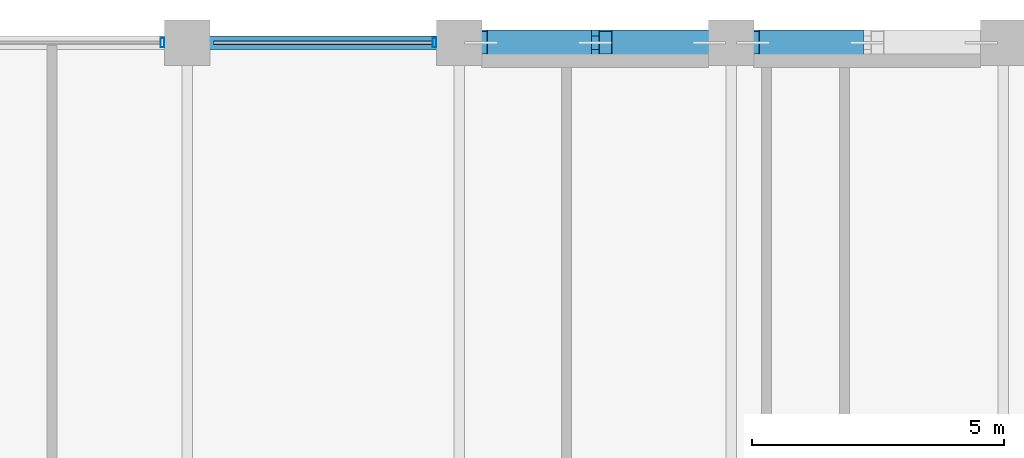
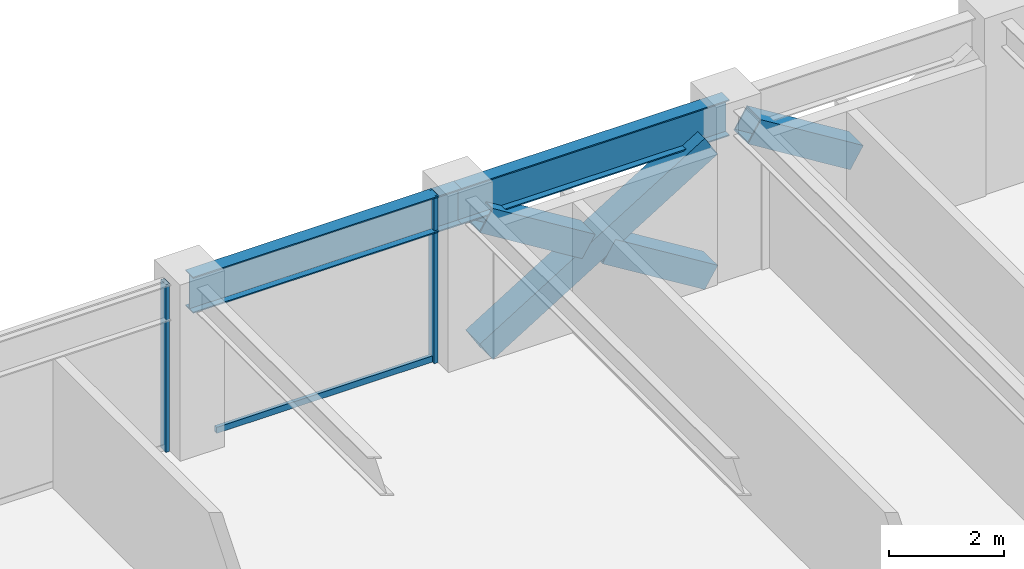
# One storey, part 20 of 32: 7 members, 2 beams, 1 element without a shape of its own.
"""IFC4 building model written with IfcOpenShell, lengths in metres."""

from ifc_helpers import new_model, si_unit, direction, frame, origin, origin_2d, place, context, subcontext, project, spatial, hollow_rectangle, i_section, extrude, material, layer, layer_set, material_profile, profile_set, type_object, element, aggregate, save


model = new_model("IFC4")

# Units and contexts
model_context = context("Model", 3, precision=1e-05, world=origin(), true_north=direction((0.0, 1.0)))
body_context = subcontext(model_context, "Body", "Model", "MODEL_VIEW")
ifc_project = project(units=[si_unit("LENGTHUNIT", "METRE"), si_unit("AREAUNIT", "SQUARE_METRE"), si_unit("VOLUMEUNIT", "CUBIC_METRE"), si_unit("PLANEANGLEUNIT", "RADIAN"), si_unit("MASSUNIT", "GRAM", prefix="KILO")], contexts=[model_context])

# Site, building, storey
site_placement = place(None, origin())
site = spatial("IfcSite", under=ifc_project, at=site_placement, CompositionType="ELEMENT")
building_placement = place(site_placement, origin())
building = spatial("IfcBuilding", under=site, at=building_placement, Name="Surkhivell Harbour Commons", CompositionType="ELEMENT")
storey_placement = place(building_placement, frame((0.0, 0.0, 189.75)))
storey = spatial("IfcBuildingStorey", under=building, at=storey_placement, Name="L49", CompositionType="ELEMENT", Elevation=189.75)

# Beams
ifc_material_1 = material(Name="Steel S355", Category="steel")
ifc_material_profile_1 = material_profile(ifc_material_1, i_section(OverallWidth=0.26806640625, OverallDepth=0.77001953125, WebThickness=0.015625, FlangeThickness=0.025390625, at=origin_2d()), Name="UB762x267x197")
ifc_profile_set_1 = profile_set([ifc_material_profile_1], Name="Steel S355")
beam_type = type_object("IfcBeamType", Name="BM-SPN-762", PredefinedType="SPANDREL", material=ifc_profile_set_1)
beam_1_placement = place(storey_placement, frame((-10.800048828125, 25.89990234375, 3.18505859375), z_axis=(1.0, 0.0, 0.0), x_axis=(0.0, 1.0, 0.0)))
element("IfcBeam", 1, at=beam_1_placement, inside=storey, type_object=beam_type, Name="L49 Tube Spandrel (-10.8,25.9)", PredefinedType="SPANDREL", context=body_context, shape_type="SweptSolid", body=[
    extrude(i_section(OverallWidth=0.26806640625, OverallDepth=0.77001953125, WebThickness=0.015625, FlangeThickness=0.025390625, at=origin_2d()), origin(), (0.0, 0.0, 1.0), 5.400146484375),
])
beam_2_placement = place(storey_placement, frame((-5.39990234375, 25.89990234375, 3.18505859375), z_axis=(1.0, 0.0, 0.0), x_axis=(0.0, 1.0, 0.0)))
element("IfcBeam", 2, at=beam_2_placement, inside=storey, type_object=beam_type, Name="L49 Tube Spandrel (-5.4,25.9)", PredefinedType="SPANDREL", context=body_context, shape_type="SweptSolid", body=[
    extrude(i_section(OverallWidth=0.26806640625, OverallDepth=0.77001953125, WebThickness=0.015625, FlangeThickness=0.025390625, at=origin_2d()), origin(), (0.0, 0.0, 1.0), 5.39990234375),
])

# Curtain wall, members
ifc_material_2 = material(Name="Anodised pale-metal aluminium and insulated glazing", Category="aluminium")
ifc_layer = layer(ifc_material_2, 0.18994140625)
ifc_layer_set = layer_set([ifc_layer], Name="Anodised pale-metal aluminium and insulated glazing")
curtain_wall_type = type_object("IfcCurtainWallType", Name="CW-SYS-Z3", PredefinedType="NOTDEFINED", material=ifc_layer_set)
curtain_wall_placement = place(storey_placement, origin())
curtain_wall = element("IfcCurtainWall", 3, at=curtain_wall_placement, inside=storey, type_object=curtain_wall_type, Name="L49 Curtain Wall CW-L49-E07S2", PredefinedType="NOTDEFINED")
ifc_material_3 = material(Name="Anodised pale-metal aluminium alloy 6063-T6", Category="aluminium")
ifc_material_profile_2 = material_profile(ifc_material_3, hollow_rectangle(XDim=0.074951171875, YDim=0.18994140625, WallThickness=0.00390625, at=origin_2d()), Name="ALU-MULL-75x190")
ifc_profile_set_2 = profile_set([ifc_material_profile_2], Name="Anodised pale-metal aluminium alloy 6063-T6")
member_type_1 = type_object("IfcMemberType", Name="CWM-190", PredefinedType="MULLION", material=ifc_profile_set_2)
member_1_placement = place(storey_placement, frame((-5.889404296875, 25.89990234375, 0.0), z_axis=(0.0, 0.0, 1.0), x_axis=(-1.0, 0.0, 0.0)))
member_1 = element("IfcMember", 4, at=member_1_placement, type_object=member_type_1, Name="CW-Z3 mullion 1", PredefinedType="MULLION", context=body_context, shape_type="SweptSolid", body=[
    extrude(hollow_rectangle(XDim=0.074951171875, YDim=0.18994140625, WallThickness=0.00390625, at=origin_2d()), origin(), (0.0, 0.0, 1.0), 3.570068359375),
])
member_2_placement = place(storey_placement, frame((-11.28955078125, 25.89990234375, 0.0), z_axis=(0.0, 0.0, 1.0), x_axis=(-1.0, 0.0, 0.0)))
member_2 = element("IfcMember", 5, at=member_2_placement, type_object=member_type_1, Name="CW-Z3 mullion 2", PredefinedType="MULLION", context=body_context, shape_type="SweptSolid", body=[
    extrude(hollow_rectangle(XDim=0.074951171875, YDim=0.18994140625, WallThickness=0.00390625, at=origin_2d()), origin(), (0.0, 0.0, 1.0), 3.570068359375),
])
ifc_material_4 = material(Name="Champagne anodised aluminium alloy 6063-T6", Category="aluminium")
ifc_material_profile_3 = material_profile(ifc_material_4, hollow_rectangle(XDim=0.070068359375, YDim=0.1298828125, WallThickness=0.00341796875, at=origin_2d()), Name="ALU-TRAN-70x130")
ifc_profile_set_3 = profile_set([ifc_material_profile_3], Name="Champagne anodised aluminium alloy 6063-T6")
member_type_2 = type_object("IfcMemberType", Name="CWT-130", PredefinedType="USERDEFINED", material=ifc_profile_set_3)
member_3_placement = place(storey_placement, frame((-5.927001953125, 25.89990234375, 0.06494140625), z_axis=(-1.0, 0.0, 0.0), x_axis=(0.0, -1.0, 0.0)))
member_3 = element("IfcMember", 6, at=member_3_placement, type_object=member_type_2, Name="CW-Z3 transom 1.1", ObjectType="TRANSOM", PredefinedType="USERDEFINED", context=body_context, shape_type="SweptSolid", body=[
    extrude(hollow_rectangle(XDim=0.070068359375, YDim=0.1298828125, WallThickness=0.00341796875, at=origin_2d()), origin(), (0.0, 0.0, 1.0), 4.345947265625),
])
aggregate(curtain_wall, [member_1, member_3, member_2])

# Members
ifc_material_5 = material(Name="Steel S460", Category="steel")
ifc_material_profile_4 = material_profile(ifc_material_5, hollow_rectangle(XDim=0.5, YDim=0.5, WallThickness=0.02490234375, at=origin_2d()), Name="SHS500x500x25")
ifc_profile_set_4 = profile_set([ifc_material_profile_4], Name="Steel S460")
member_type_3 = type_object("IfcMemberType", Name="MEM-BRC-SHS500", PredefinedType="BRACE", material=ifc_profile_set_4)
member_4_placement = place(storey_placement, frame((-4.965087890625, 25.89990234375, 0.008056640625), z_axis=(0.850971032488, 0.0, 0.525212625387), x_axis=(0.0, 1.0, 0.0)))
element("IfcMember", 7, at=member_4_placement, inside=storey, type_object=member_type_3, Name="L49 Perimeter Mega-Brace MB- 01", PredefinedType="BRACE", context=body_context, shape_type="SweptSolid", body=[
    extrude(hollow_rectangle(XDim=0.5, YDim=0.5, WallThickness=0.02490234375, at=origin_2d()), origin(), (0.0, 0.0, 1.0), 5.323486328125),
])
for number, where, z_axis, x_axis, name in (
    (8, (-0.43505859375, 25.89990234375, 0.008056640625), (-0.8510034189, 0.0, 0.525160147974), (0.0, -1.0, 0.0), "L49 Perimeter Mega-Brace MB- 02"),
    (9, (-2.904296875, 25.89990234375, 1.531982421875), (-0.850958361341, 0.0, 0.525233155146), (0.0, -1.0, 0.0), "L49 Perimeter Mega-Brace MB- 03"),
    (10, (2.495849609375, 25.89990234375, 1.531982421875), (-0.850958361341, 0.0, 0.525233155146), (0.0, -1.0, 0.0), "L49 Perimeter Mega-Brace MB- 06"),
):
    element("IfcMember", number, at=place(storey_placement, frame(where, z_axis=z_axis, x_axis=x_axis)), inside=storey, type_object=member_type_3, Name=name, PredefinedType="BRACE", context=body_context, shape_type="SweptSolid", body=[
        extrude(hollow_rectangle(XDim=0.5, YDim=0.5, WallThickness=0.02490234375, at=origin_2d()), origin(), (0.0, 0.0, 1.0), 2.421630859375),
    ])

save(model, "model.ifc")
